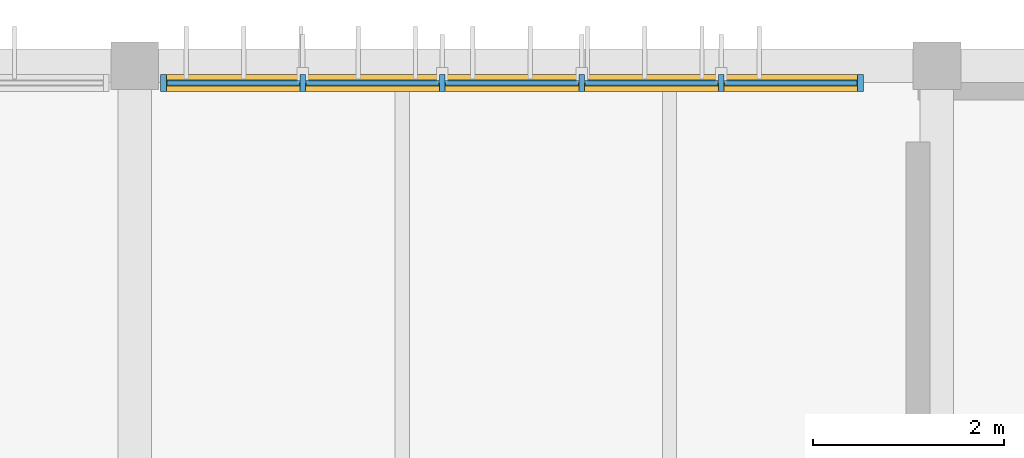
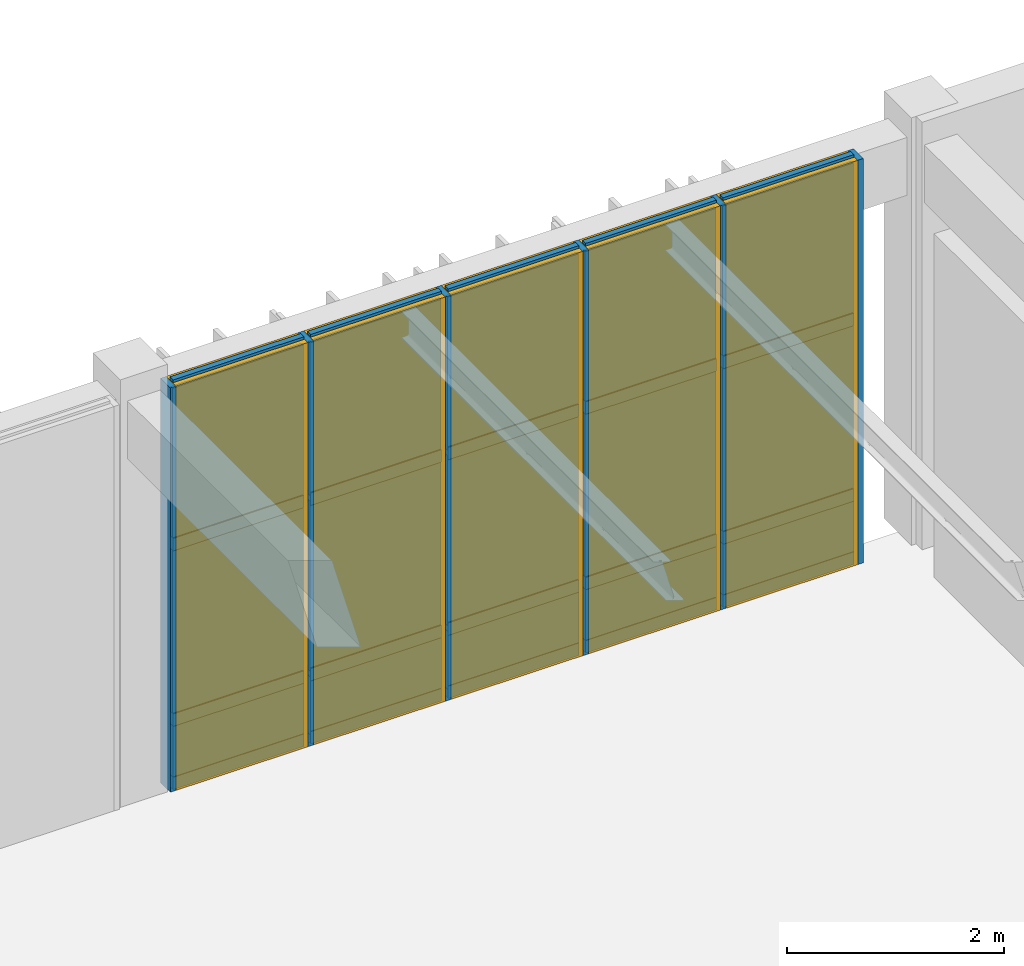
# One storey, part 105 of 122: 26 members, 15 plates, 1 curtain wall.
"""IFC4 building model written with IfcOpenShell, lengths in metres."""

from ifc_helpers import new_model, si_unit, direction, frame, frame_2d, origin, origin_2d, place, context, subcontext, project, spatial, rectangle, extrude, material, layer, layer_set, material_profile, profile_set, type_object, element, aggregate, save


model = new_model("IFC4")

# Units and contexts
model_context = context("Model", 3, precision=1e-05, world=origin(), true_north=direction((0.0, 1.0)))
body_context = subcontext(model_context, "Body", "Model", "MODEL_VIEW")
ifc_project = project(units=[si_unit("LENGTHUNIT", "METRE"), si_unit("AREAUNIT", "SQUARE_METRE"), si_unit("VOLUMEUNIT", "CUBIC_METRE"), si_unit("PLANEANGLEUNIT", "RADIAN"), si_unit("MASSUNIT", "GRAM", prefix="KILO")], contexts=[model_context])

# Member
ifc_material_1 = material(Name="Anodised Bronze Aluminium 6063-T6", Category="aluminium")
ifc_material_profile_1 = material_profile(ifc_material_1, rectangle(XDim=0.06005859375, YDim=0.179931640625, at=origin_2d()), Name="ALU MULLION 60x180")
ifc_profile_set_1 = profile_set([ifc_material_profile_1], Name="Anodised Bronze Aluminium 6063-T6")
member_type_1 = type_object("IfcMemberType", Name="Curtain-Wall Primary Mullion 60x180", PredefinedType="MULLION", material=ifc_profile_set_1)
site_placement = place(None, origin())
building_placement = place(site_placement, origin())
storey_placement = place(building_placement, origin())
member_1_placement = place(storey_placement, frame((142.5, 111.6201171875, 0.0), z_axis=(0.0, 0.0, 1.0), x_axis=(1.0, 0.0, 0.0)))
member_1 = element("IfcMember", 1, at=member_1_placement, type_object=member_type_1, Name="Mullion CWM-01 CW-V3-N3-L00-B3-M01", PredefinedType="MULLION", context=body_context, shape_type="SweptSolid", body=[
    extrude(rectangle(XDim=0.06005859375, YDim=0.179931640625, at=origin_2d()), origin(), (0.0, 0.0, 1.0), 4.5400390625),
])

member_2_placement = place(storey_placement, frame((143.9599609375, 111.6201171875, 0.0), z_axis=(0.0, 0.0, 1.0), x_axis=(1.0, 0.0, 0.0)))
member_2 = element("IfcMember", 2, at=member_2_placement, type_object=member_type_1, Name="Mullion CWM-01 CW-V3-N3-L00-B3-M02", PredefinedType="MULLION", context=body_context, shape_type="SweptSolid", body=[
    extrude(rectangle(XDim=0.06005859375, YDim=0.179931640625, at=origin_2d()), origin(), (0.0, 0.0, 1.0), 4.5400390625),
])

member_3_placement = place(storey_placement, frame((145.419921875, 111.6201171875, 0.0), z_axis=(0.0, 0.0, 1.0), x_axis=(1.0, 0.0, 0.0)))
member_3 = element("IfcMember", 3, at=member_3_placement, type_object=member_type_1, Name="Mullion CWM-01 CW-V3-N3-L00-B3-M03", PredefinedType="MULLION", context=body_context, shape_type="SweptSolid", body=[
    extrude(rectangle(XDim=0.06005859375, YDim=0.179931640625, at=origin_2d()), origin(), (0.0, 0.0, 1.0), 4.5400390625),
])

member_4_placement = place(storey_placement, frame((146.8798828125, 111.6201171875, 0.0), z_axis=(0.0, 0.0, 1.0), x_axis=(1.0, 0.0, 0.0)))
member_4 = element("IfcMember", 4, at=member_4_placement, type_object=member_type_1, Name="Mullion CWM-01 CW-V3-N3-L00-B3-M04", PredefinedType="MULLION", context=body_context, shape_type="SweptSolid", body=[
    extrude(rectangle(XDim=0.06005859375, YDim=0.179931640625, at=origin_2d()), origin(), (0.0, 0.0, 1.0), 4.5400390625),
])

member_5_placement = place(storey_placement, frame((148.340087890625, 111.6201171875, 0.0), z_axis=(0.0, 0.0, 1.0), x_axis=(1.0, 0.0, 0.0)))
member_5 = element("IfcMember", 5, at=member_5_placement, type_object=member_type_1, Name="Mullion CWM-01 CW-V3-N3-L00-B3-M05", PredefinedType="MULLION", context=body_context, shape_type="SweptSolid", body=[
    extrude(rectangle(XDim=0.06005859375, YDim=0.179931640625, at=origin_2d()), origin(), (0.0, 0.0, 1.0), 4.5400390625),
])

member_6_placement = place(storey_placement, frame((149.800048828125, 111.6201171875, 0.0), z_axis=(0.0, 0.0, 1.0), x_axis=(1.0, 0.0, 0.0)))
member_6 = element("IfcMember", 6, at=member_6_placement, type_object=member_type_1, Name="Mullion CWM-01 CW-V3-N3-L00-B3-M06", PredefinedType="MULLION", context=body_context, shape_type="SweptSolid", body=[
    extrude(rectangle(XDim=0.06005859375, YDim=0.179931640625, at=origin_2d()), origin(), (0.0, 0.0, 1.0), 4.5400390625),
])

ifc_material_profile_2 = material_profile(ifc_material_1, rectangle(XDim=0.06005859375, YDim=0.139892578125, at=origin_2d()), Name="ALU TRANSOM 60x140")
ifc_profile_set_2 = profile_set([ifc_material_profile_2], Name="Anodised Bronze Aluminium 6063-T6")
member_type_2 = type_object("IfcMemberType", Name="Curtain-Wall Transom 60x140", PredefinedType="USERDEFINED", material=ifc_profile_set_2)
member_7_placement = place(storey_placement, frame((142.534912109375, 111.6201171875, 0.0400390625), z_axis=(1.0, 0.0, 0.0), x_axis=(0.0, 1.0, 0.0)))
member_7 = element("IfcMember", 7, at=member_7_placement, type_object=member_type_2, Name="Transom CWT-01 CW-V3-N3-L00-B3-T01.1", ObjectType="TRANSOM", PredefinedType="USERDEFINED", context=body_context, shape_type="SweptSolid", body=[
    extrude(rectangle(XDim=0.06005859375, YDim=0.139892578125, at=origin_2d()), origin(), (0.0, 0.0, 1.0), 1.39013671875),
])

member_8_placement = place(storey_placement, frame((142.534912109375, 111.6201171875, 0.75), z_axis=(1.0, 0.0, 0.0), x_axis=(0.0, 1.0, 0.0)))
member_8 = element("IfcMember", 8, at=member_8_placement, type_object=member_type_2, Name="Transom CWT-01 CW-V3-N3-L00-B3-T01.2", ObjectType="TRANSOM", PredefinedType="USERDEFINED", context=body_context, shape_type="SweptSolid", body=[
    extrude(rectangle(XDim=0.06005859375, YDim=0.139892578125, at=origin_2d()), origin(), (0.0, 0.0, 1.0), 1.39013671875),
])

member_9_placement = place(storey_placement, frame((142.534912109375, 111.6201171875, 2.720703125), z_axis=(1.0, 0.0, 0.0), x_axis=(0.0, 1.0, 0.0)))
member_9 = element("IfcMember", 9, at=member_9_placement, type_object=member_type_2, Name="Transom CWT-01 CW-V3-N3-L00-B3-T01.3", ObjectType="TRANSOM", PredefinedType="USERDEFINED", context=body_context, shape_type="SweptSolid", body=[
    extrude(rectangle(XDim=0.06005859375, YDim=0.139892578125, at=origin_2d()), origin(), (0.0, 0.0, 1.0), 1.39013671875),
])

member_10_placement = place(storey_placement, frame((142.534912109375, 111.6201171875, 4.5), z_axis=(1.0, 0.0, 0.0), x_axis=(0.0, 1.0, 0.0)))
member_10 = element("IfcMember", 10, at=member_10_placement, type_object=member_type_2, Name="Transom CWT-01 CW-V3-N3-L00-B3-T01.4", ObjectType="TRANSOM", PredefinedType="USERDEFINED", context=body_context, shape_type="SweptSolid", body=[
    extrude(rectangle(XDim=0.06005859375, YDim=0.139892578125, at=origin_2d()), origin(), (0.0, 0.0, 1.0), 1.39013671875),
])

member_11_placement = place(storey_placement, frame((143.9951171875, 111.6201171875, 0.0400390625), z_axis=(1.0, 0.0, 0.0), x_axis=(0.0, 1.0, 0.0)))
member_11 = element("IfcMember", 11, at=member_11_placement, type_object=member_type_2, Name="Transom CWT-01 CW-V3-N3-L00-B3-T02.1", ObjectType="TRANSOM", PredefinedType="USERDEFINED", context=body_context, shape_type="SweptSolid", body=[
    extrude(rectangle(XDim=0.06005859375, YDim=0.139892578125, at=origin_2d()), origin(), (0.0, 0.0, 1.0), 1.389892578125),
])

member_12_placement = place(storey_placement, frame((143.9951171875, 111.6201171875, 0.75), z_axis=(1.0, 0.0, 0.0), x_axis=(0.0, 1.0, 0.0)))
member_12 = element("IfcMember", 12, at=member_12_placement, type_object=member_type_2, Name="Transom CWT-01 CW-V3-N3-L00-B3-T02.2", ObjectType="TRANSOM", PredefinedType="USERDEFINED", context=body_context, shape_type="SweptSolid", body=[
    extrude(rectangle(XDim=0.06005859375, YDim=0.139892578125, at=origin_2d()), origin(), (0.0, 0.0, 1.0), 1.389892578125),
])

member_13_placement = place(storey_placement, frame((143.9951171875, 111.6201171875, 2.720703125), z_axis=(1.0, 0.0, 0.0), x_axis=(0.0, 1.0, 0.0)))
member_13 = element("IfcMember", 13, at=member_13_placement, type_object=member_type_2, Name="Transom CWT-01 CW-V3-N3-L00-B3-T02.3", ObjectType="TRANSOM", PredefinedType="USERDEFINED", context=body_context, shape_type="SweptSolid", body=[
    extrude(rectangle(XDim=0.06005859375, YDim=0.139892578125, at=origin_2d()), origin(), (0.0, 0.0, 1.0), 1.389892578125),
])

member_14_placement = place(storey_placement, frame((143.9951171875, 111.6201171875, 4.5), z_axis=(1.0, 0.0, 0.0), x_axis=(0.0, 1.0, 0.0)))
member_14 = element("IfcMember", 14, at=member_14_placement, type_object=member_type_2, Name="Transom CWT-01 CW-V3-N3-L00-B3-T02.4", ObjectType="TRANSOM", PredefinedType="USERDEFINED", context=body_context, shape_type="SweptSolid", body=[
    extrude(rectangle(XDim=0.06005859375, YDim=0.139892578125, at=origin_2d()), origin(), (0.0, 0.0, 1.0), 1.389892578125),
])

member_15_placement = place(storey_placement, frame((145.455078125, 111.6201171875, 0.0400390625), z_axis=(1.0, 0.0, 0.0), x_axis=(0.0, 1.0, 0.0)))
member_15 = element("IfcMember", 15, at=member_15_placement, type_object=member_type_2, Name="Transom CWT-01 CW-V3-N3-L00-B3-T03.1", ObjectType="TRANSOM", PredefinedType="USERDEFINED", context=body_context, shape_type="SweptSolid", body=[
    extrude(rectangle(XDim=0.06005859375, YDim=0.139892578125, at=origin_2d()), origin(), (0.0, 0.0, 1.0), 1.389892578125),
])

member_16_placement = place(storey_placement, frame((145.455078125, 111.6201171875, 0.75), z_axis=(1.0, 0.0, 0.0), x_axis=(0.0, 1.0, 0.0)))
member_16 = element("IfcMember", 16, at=member_16_placement, type_object=member_type_2, Name="Transom CWT-01 CW-V3-N3-L00-B3-T03.2", ObjectType="TRANSOM", PredefinedType="USERDEFINED", context=body_context, shape_type="SweptSolid", body=[
    extrude(rectangle(XDim=0.06005859375, YDim=0.139892578125, at=origin_2d()), origin(), (0.0, 0.0, 1.0), 1.389892578125),
])

member_17_placement = place(storey_placement, frame((145.455078125, 111.6201171875, 2.720703125), z_axis=(1.0, 0.0, 0.0), x_axis=(0.0, 1.0, 0.0)))
member_17 = element("IfcMember", 17, at=member_17_placement, type_object=member_type_2, Name="Transom CWT-01 CW-V3-N3-L00-B3-T03.3", ObjectType="TRANSOM", PredefinedType="USERDEFINED", context=body_context, shape_type="SweptSolid", body=[
    extrude(rectangle(XDim=0.06005859375, YDim=0.139892578125, at=origin_2d()), origin(), (0.0, 0.0, 1.0), 1.389892578125),
])

member_18_placement = place(storey_placement, frame((145.455078125, 111.6201171875, 4.5), z_axis=(1.0, 0.0, 0.0), x_axis=(0.0, 1.0, 0.0)))
member_18 = element("IfcMember", 18, at=member_18_placement, type_object=member_type_2, Name="Transom CWT-01 CW-V3-N3-L00-B3-T03.4", ObjectType="TRANSOM", PredefinedType="USERDEFINED", context=body_context, shape_type="SweptSolid", body=[
    extrude(rectangle(XDim=0.06005859375, YDim=0.139892578125, at=origin_2d()), origin(), (0.0, 0.0, 1.0), 1.389892578125),
])

member_19_placement = place(storey_placement, frame((146.9150390625, 111.6201171875, 0.0400390625), z_axis=(1.0, 0.0, 0.0), x_axis=(0.0, 1.0, 0.0)))
member_19 = element("IfcMember", 19, at=member_19_placement, type_object=member_type_2, Name="Transom CWT-01 CW-V3-N3-L00-B3-T04.1", ObjectType="TRANSOM", PredefinedType="USERDEFINED", context=body_context, shape_type="SweptSolid", body=[
    extrude(rectangle(XDim=0.06005859375, YDim=0.139892578125, at=origin_2d()), origin(), (0.0, 0.0, 1.0), 1.389892578125),
])

member_20_placement = place(storey_placement, frame((146.9150390625, 111.6201171875, 0.75), z_axis=(1.0, 0.0, 0.0), x_axis=(0.0, 1.0, 0.0)))
member_20 = element("IfcMember", 20, at=member_20_placement, type_object=member_type_2, Name="Transom CWT-01 CW-V3-N3-L00-B3-T04.2", ObjectType="TRANSOM", PredefinedType="USERDEFINED", context=body_context, shape_type="SweptSolid", body=[
    extrude(rectangle(XDim=0.06005859375, YDim=0.139892578125, at=origin_2d()), origin(), (0.0, 0.0, 1.0), 1.389892578125),
])

member_21_placement = place(storey_placement, frame((146.9150390625, 111.6201171875, 2.720703125), z_axis=(1.0, 0.0, 0.0), x_axis=(0.0, 1.0, 0.0)))
member_21 = element("IfcMember", 21, at=member_21_placement, type_object=member_type_2, Name="Transom CWT-01 CW-V3-N3-L00-B3-T04.3", ObjectType="TRANSOM", PredefinedType="USERDEFINED", context=body_context, shape_type="SweptSolid", body=[
    extrude(rectangle(XDim=0.06005859375, YDim=0.139892578125, at=origin_2d()), origin(), (0.0, 0.0, 1.0), 1.389892578125),
])

member_22_placement = place(storey_placement, frame((146.9150390625, 111.6201171875, 4.5), z_axis=(1.0, 0.0, 0.0), x_axis=(0.0, 1.0, 0.0)))
member_22 = element("IfcMember", 22, at=member_22_placement, type_object=member_type_2, Name="Transom CWT-01 CW-V3-N3-L00-B3-T04.4", ObjectType="TRANSOM", PredefinedType="USERDEFINED", context=body_context, shape_type="SweptSolid", body=[
    extrude(rectangle(XDim=0.06005859375, YDim=0.139892578125, at=origin_2d()), origin(), (0.0, 0.0, 1.0), 1.389892578125),
])

member_23_placement = place(storey_placement, frame((148.375, 111.6201171875, 0.0400390625), z_axis=(1.0, 0.0, 0.0), x_axis=(0.0, 1.0, 0.0)))
member_23 = element("IfcMember", 23, at=member_23_placement, type_object=member_type_2, Name="Transom CWT-01 CW-V3-N3-L00-B3-T05.1", ObjectType="TRANSOM", PredefinedType="USERDEFINED", context=body_context, shape_type="SweptSolid", body=[
    extrude(rectangle(XDim=0.06005859375, YDim=0.139892578125, at=origin_2d()), origin(), (0.0, 0.0, 1.0), 1.389892578125),
])

member_24_placement = place(storey_placement, frame((148.375, 111.6201171875, 0.75), z_axis=(1.0, 0.0, 0.0), x_axis=(0.0, 1.0, 0.0)))
member_24 = element("IfcMember", 24, at=member_24_placement, type_object=member_type_2, Name="Transom CWT-01 CW-V3-N3-L00-B3-T05.2", ObjectType="TRANSOM", PredefinedType="USERDEFINED", context=body_context, shape_type="SweptSolid", body=[
    extrude(rectangle(XDim=0.06005859375, YDim=0.139892578125, at=origin_2d()), origin(), (0.0, 0.0, 1.0), 1.389892578125),
])

member_25_placement = place(storey_placement, frame((148.375, 111.6201171875, 2.720703125), z_axis=(1.0, 0.0, 0.0), x_axis=(0.0, 1.0, 0.0)))
member_25 = element("IfcMember", 25, at=member_25_placement, type_object=member_type_2, Name="Transom CWT-01 CW-V3-N3-L00-B3-T05.3", ObjectType="TRANSOM", PredefinedType="USERDEFINED", context=body_context, shape_type="SweptSolid", body=[
    extrude(rectangle(XDim=0.06005859375, YDim=0.139892578125, at=origin_2d()), origin(), (0.0, 0.0, 1.0), 1.389892578125),
])

member_26_placement = place(storey_placement, frame((148.375, 111.6201171875, 4.5), z_axis=(1.0, 0.0, 0.0), x_axis=(0.0, 1.0, 0.0)))
member_26 = element("IfcMember", 26, at=member_26_placement, type_object=member_type_2, Name="Transom CWT-01 CW-V3-N3-L00-B3-T05.4", ObjectType="TRANSOM", PredefinedType="USERDEFINED", context=body_context, shape_type="SweptSolid", body=[
    extrude(rectangle(XDim=0.06005859375, YDim=0.139892578125, at=origin_2d()), origin(), (0.0, 0.0, 1.0), 1.389892578125),
])

# Plate
ifc_material_2 = material(Name="Insulated Bronze Aluminium Spandrel Panel", Category="aluminium")
ifc_layer_1 = layer(ifc_material_2, 0.050048828125, Name="Insulated Bronze Aluminium Spandrel Panel")
ifc_layer_set_1 = layer_set([ifc_layer_1], Name="Insulated Bronze Aluminium Spandrel Panel")
plate_type_1 = type_object("IfcPlateType", Name="Insulated Anodised Aluminium Spandrel Cassette 50", PredefinedType="CURTAIN_PANEL", material=ifc_layer_set_1)
plate_1_placement = place(storey_placement, frame((143.22998046875, 111.6201171875, 0.070068359375), z_axis=(0.0, 0.0, 1.0), x_axis=(1.0, 0.0, 0.0)))
plate_1 = element("IfcPlate", 27, at=plate_1_placement, type_object=plate_type_1, Name="Curtain Panel CWP-03 CW-V3-N3-L00-B3-P01.1", PredefinedType="CURTAIN_PANEL", context=body_context, shape_type="SweptSolid", body=[
    extrude(rectangle(XDim=1.389892578125, YDim=0.050048828125, at=origin_2d()), origin(), (0.0, 0.0, 1.0), 0.64990234375),
])

plate_2_placement = place(storey_placement, frame((144.68994140625, 111.6201171875, 0.070068359375), z_axis=(0.0, 0.0, 1.0), x_axis=(1.0, 0.0, 0.0)))
plate_2 = element("IfcPlate", 28, at=plate_2_placement, type_object=plate_type_1, Name="Curtain Panel CWP-03 CW-V3-N3-L00-B3-P02.1", PredefinedType="CURTAIN_PANEL", context=body_context, shape_type="SweptSolid", body=[
    extrude(rectangle(XDim=1.389892578125, YDim=0.050048828125, at=origin_2d()), origin(), (0.0, 0.0, 1.0), 0.64990234375),
])

plate_3_placement = place(storey_placement, frame((146.14990234375, 111.6201171875, 0.070068359375), z_axis=(0.0, 0.0, 1.0), x_axis=(1.0, 0.0, 0.0)))
plate_3 = element("IfcPlate", 29, at=plate_3_placement, type_object=plate_type_1, Name="Curtain Panel CWP-03 CW-V3-N3-L00-B3-P03.1", PredefinedType="CURTAIN_PANEL", context=body_context, shape_type="SweptSolid", body=[
    extrude(rectangle(XDim=1.389892578125, YDim=0.050048828125, at=origin_2d()), origin(), (0.0, 0.0, 1.0), 0.64990234375),
])

plate_4_placement = place(storey_placement, frame((147.610107421875, 111.6201171875, 0.070068359375), z_axis=(0.0, 0.0, 1.0), x_axis=(1.0, 0.0, 0.0)))
plate_4 = element("IfcPlate", 30, at=plate_4_placement, type_object=plate_type_1, Name="Curtain Panel CWP-03 CW-V3-N3-L00-B3-P04.1", PredefinedType="CURTAIN_PANEL", context=body_context, shape_type="SweptSolid", body=[
    extrude(rectangle(XDim=1.389892578125, YDim=0.050048828125, at=origin_2d()), origin(), (0.0, 0.0, 1.0), 0.64990234375),
])

plate_5_placement = place(storey_placement, frame((149.070068359375, 111.6201171875, 0.070068359375), z_axis=(0.0, 0.0, 1.0), x_axis=(1.0, 0.0, 0.0)))
plate_5 = element("IfcPlate", 31, at=plate_5_placement, type_object=plate_type_1, Name="Curtain Panel CWP-03 CW-V3-N3-L00-B3-P05.1", PredefinedType="CURTAIN_PANEL", context=body_context, shape_type="SweptSolid", body=[
    extrude(rectangle(XDim=1.389892578125, YDim=0.050048828125, at=origin_2d()), origin(), (0.0, 0.0, 1.0), 0.64990234375),
])

ifc_material_3 = material(Name="Solar-Control Tempered Double Glazing", Category="glass")
ifc_layer_2 = layer(ifc_material_3, 0.0380859375, Name="Solar-Control Tempered Double Glazing")
ifc_layer_set_2 = layer_set([ifc_layer_2], Name="Solar-Control Tempered Double Glazing")
plate_type_2 = type_object("IfcPlateType", Name="Solar-Control Vision Glazing Unit 38", PredefinedType="CURTAIN_PANEL", material=ifc_layer_set_2)
plate_6_placement = place(storey_placement, frame((143.22998046875, 111.6201171875, 0.77978515625), z_axis=(0.0, 0.0, 1.0), x_axis=(1.0, 0.0, 0.0)))
plate_6 = element("IfcPlate", 32, at=plate_6_placement, type_object=plate_type_2, Name="Curtain Panel CWP-02 CW-V3-N3-L00-B3-P01.2", PredefinedType="CURTAIN_PANEL", context=body_context, shape_type="SweptSolid", body=[
    extrude(rectangle(XDim=1.389892578125, YDim=0.0380859375, at=origin_2d()), origin(), (0.0, 0.0, 1.0), 1.910888671875),
])

plate_7_placement = place(storey_placement, frame((143.22998046875, 111.6201171875, 2.750732421875), z_axis=(0.0, 0.0, 1.0), x_axis=(1.0, 0.0, 0.0)))
plate_7 = element("IfcPlate", 33, at=plate_7_placement, type_object=plate_type_2, Name="Curtain Panel CWP-02 CW-V3-N3-L00-B3-P01.3", PredefinedType="CURTAIN_PANEL", context=body_context, shape_type="SweptSolid", body=[
    extrude(rectangle(XDim=1.389892578125, YDim=0.0380859375, at=origin_2d()), origin(), (0.0, 0.0, 1.0), 1.71923828125),
])

plate_8_placement = place(storey_placement, frame((144.68994140625, 111.6201171875, 0.77978515625), z_axis=(0.0, 0.0, 1.0), x_axis=(1.0, 0.0, 0.0)))
plate_8 = element("IfcPlate", 34, at=plate_8_placement, type_object=plate_type_2, Name="Curtain Panel CWP-02 CW-V3-N3-L00-B3-P02.2", PredefinedType="CURTAIN_PANEL", context=body_context, shape_type="SweptSolid", body=[
    extrude(rectangle(XDim=1.389892578125, YDim=0.0380859375, at=origin_2d()), origin(), (0.0, 0.0, 1.0), 1.910888671875),
])

plate_9_placement = place(storey_placement, frame((144.68994140625, 111.6201171875, 2.750732421875), z_axis=(0.0, 0.0, 1.0), x_axis=(1.0, 0.0, 0.0)))
plate_9 = element("IfcPlate", 35, at=plate_9_placement, type_object=plate_type_2, Name="Curtain Panel CWP-02 CW-V3-N3-L00-B3-P02.3", PredefinedType="CURTAIN_PANEL", context=body_context, shape_type="SweptSolid", body=[
    extrude(rectangle(XDim=1.389892578125, YDim=0.0380859375, at=origin_2d()), origin(), (0.0, 0.0, 1.0), 1.71923828125),
])

plate_10_placement = place(storey_placement, frame((146.14990234375, 111.6201171875, 0.77978515625), z_axis=(0.0, 0.0, 1.0), x_axis=(1.0, 0.0, 0.0)))
plate_10 = element("IfcPlate", 36, at=plate_10_placement, type_object=plate_type_2, Name="Curtain Panel CWP-02 CW-V3-N3-L00-B3-P03.2", PredefinedType="CURTAIN_PANEL", context=body_context, shape_type="SweptSolid", body=[
    extrude(rectangle(XDim=1.389892578125, YDim=0.0380859375, at=origin_2d()), origin(), (0.0, 0.0, 1.0), 1.910888671875),
])

plate_11_placement = place(storey_placement, frame((146.14990234375, 111.6201171875, 2.750732421875), z_axis=(0.0, 0.0, 1.0), x_axis=(1.0, 0.0, 0.0)))
plate_11 = element("IfcPlate", 37, at=plate_11_placement, type_object=plate_type_2, Name="Curtain Panel CWP-02 CW-V3-N3-L00-B3-P03.3", PredefinedType="CURTAIN_PANEL", context=body_context, shape_type="SweptSolid", body=[
    extrude(rectangle(XDim=1.389892578125, YDim=0.0380859375, at=origin_2d()), origin(), (0.0, 0.0, 1.0), 1.71923828125),
])

plate_12_placement = place(storey_placement, frame((147.610107421875, 111.6201171875, 0.77978515625), z_axis=(0.0, 0.0, 1.0), x_axis=(1.0, 0.0, 0.0)))
plate_12 = element("IfcPlate", 38, at=plate_12_placement, type_object=plate_type_2, Name="Curtain Panel CWP-02 CW-V3-N3-L00-B3-P04.2", PredefinedType="CURTAIN_PANEL", context=body_context, shape_type="SweptSolid", body=[
    extrude(rectangle(XDim=1.389892578125, YDim=0.0380859375, at=origin_2d()), origin(), (0.0, 0.0, 1.0), 1.910888671875),
])

plate_13_placement = place(storey_placement, frame((147.610107421875, 111.6201171875, 2.750732421875), z_axis=(0.0, 0.0, 1.0), x_axis=(1.0, 0.0, 0.0)))
plate_13 = element("IfcPlate", 39, at=plate_13_placement, type_object=plate_type_2, Name="Curtain Panel CWP-02 CW-V3-N3-L00-B3-P04.3", PredefinedType="CURTAIN_PANEL", context=body_context, shape_type="SweptSolid", body=[
    extrude(rectangle(XDim=1.389892578125, YDim=0.0380859375, at=origin_2d()), origin(), (0.0, 0.0, 1.0), 1.71923828125),
])

plate_14_placement = place(storey_placement, frame((149.070068359375, 111.6201171875, 0.77978515625), z_axis=(0.0, 0.0, 1.0), x_axis=(1.0, 0.0, 0.0)))
plate_14 = element("IfcPlate", 40, at=plate_14_placement, type_object=plate_type_2, Name="Curtain Panel CWP-02 CW-V3-N3-L00-B3-P05.2", PredefinedType="CURTAIN_PANEL", context=body_context, shape_type="SweptSolid", body=[
    extrude(rectangle(XDim=1.389892578125, YDim=0.0380859375, at=origin_2d()), origin(), (0.0, 0.0, 1.0), 1.910888671875),
])

plate_15_placement = place(storey_placement, frame((149.070068359375, 111.6201171875, 2.750732421875), z_axis=(0.0, 0.0, 1.0), x_axis=(1.0, 0.0, 0.0)))
plate_15 = element("IfcPlate", 41, at=plate_15_placement, type_object=plate_type_2, Name="Curtain Panel CWP-02 CW-V3-N3-L00-B3-P05.3", PredefinedType="CURTAIN_PANEL", context=body_context, shape_type="SweptSolid", body=[
    extrude(rectangle(XDim=1.389892578125, YDim=0.0380859375, at=origin_2d()), origin(), (0.0, 0.0, 1.0), 1.71923828125),
])

# Site, building, storey
site = spatial("IfcSite", under=ifc_project, at=site_placement, CompositionType="ELEMENT")
building = spatial("IfcBuilding", under=site, at=building_placement, Name="Tazoul Stagehouse", CompositionType="ELEMENT")
storey = spatial("IfcBuildingStorey", under=building, at=storey_placement, Name="L00", CompositionType="ELEMENT", Elevation=0.0)

# Curtain wall
curtain_wall_type = type_object("IfcCurtainWallType", Name="Rehearsal North Daylight Curtain Wall", PredefinedType="NOTDEFINED", material=ifc_material_1)
curtain_wall_placement = place(storey_placement, frame((142.5, 111.6201171875, 0.0), z_axis=(0.0, 0.0, 1.0), x_axis=(1.0, 0.0, 0.0)))
curtain_wall = element("IfcCurtainWall", 42, at=curtain_wall_placement, inside=storey, type_object=curtain_wall_type, Name="L00 Curtain Wall CW-04 (CW-V3-N3-L00-B3)", PredefinedType="NOTDEFINED", context=body_context, shape_type="SweptSolid", body=[
    extrude(rectangle(XDim=7.300048828125, YDim=0.179931640625, at=frame_2d((3.64990234375, 0.0))), origin(), (0.0, 0.0, 1.0), 4.5400390625),
])

aggregate(curtain_wall, [member_1, member_2, member_3, member_4, member_5, member_6, member_7, member_8, member_9, member_10, plate_1, plate_6, plate_7, member_11, member_12, member_13, member_14, plate_2, plate_8, plate_9, member_15, member_16, member_17, member_18, plate_3, plate_10, plate_11, member_19, member_20, member_21, member_22, plate_4, plate_12, plate_13, member_23, member_24, member_25, member_26, plate_5, plate_14, plate_15])

save(model, "model.ifc")
